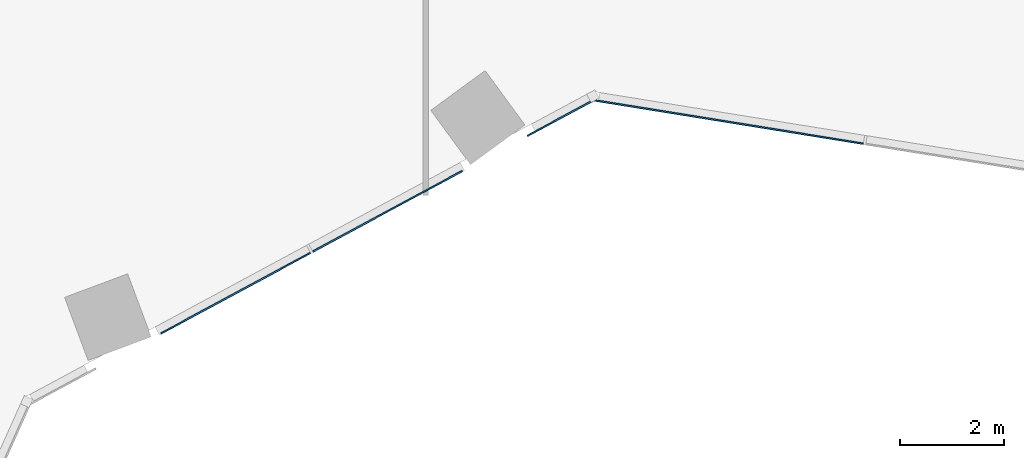
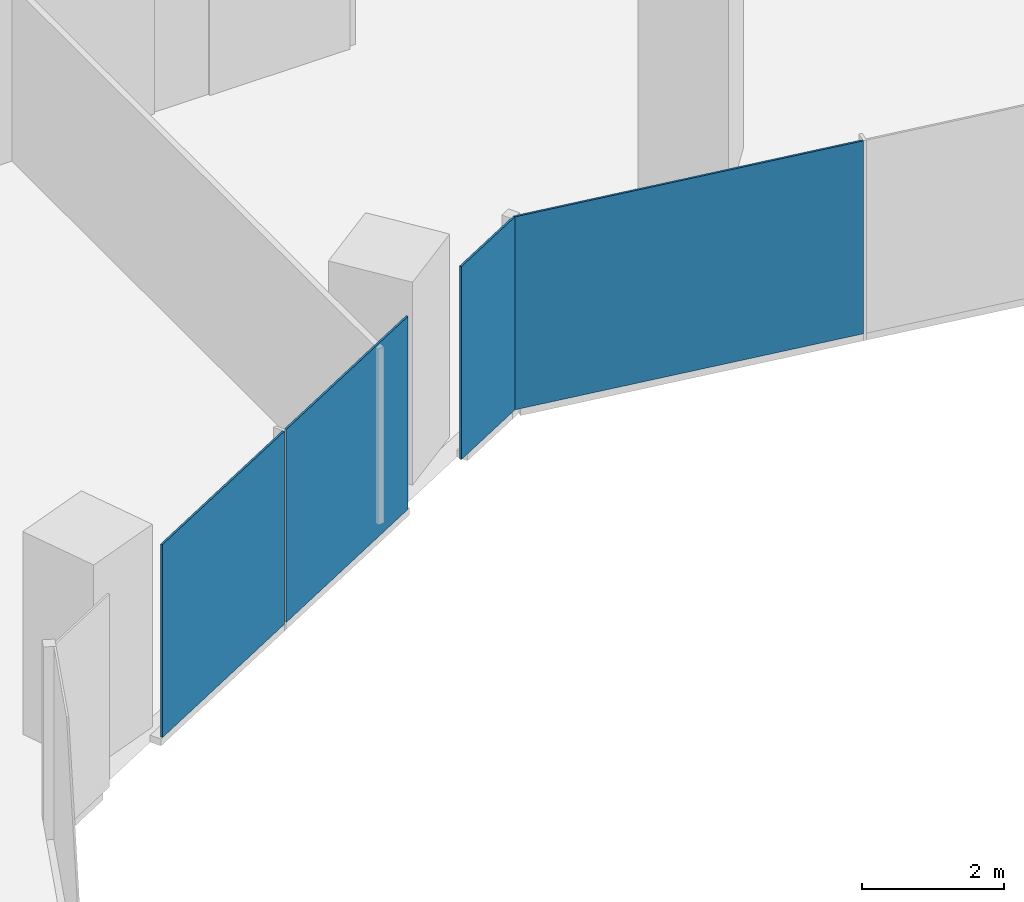
# One storey, part 20 of 34: 4 plates, 2 elements without a shape of their own.
"""IFC4 building model written with IfcOpenShell, lengths in metres."""

from ifc_helpers import new_model, si_unit, direction, frame, origin, origin_2d, place, context, subcontext, project, spatial, rectangle, extrude, material, layer, layer_set, type_object, element, aggregate, save


model = new_model("IFC4")

# Units and contexts
model_context = context("Model", 3, precision=1e-05, world=origin(), true_north=direction((0.0, 1.0)))
body_context = subcontext(model_context, "Body", "Model", "MODEL_VIEW")
ifc_project = project(units=[si_unit("LENGTHUNIT", "METRE"), si_unit("AREAUNIT", "SQUARE_METRE"), si_unit("VOLUMEUNIT", "CUBIC_METRE"), si_unit("PLANEANGLEUNIT", "RADIAN"), si_unit("MASSUNIT", "GRAM", prefix="KILO")], contexts=[model_context])

# Site, building, storey
site_placement = place(None, origin())
site = spatial("IfcSite", under=ifc_project, at=site_placement, CompositionType="ELEMENT")
building_placement = place(site_placement, origin())
building = spatial("IfcBuilding", under=site, at=building_placement, Name="Orlundy Tower", CompositionType="ELEMENT")
storey_placement = place(building_placement, frame((0.0, 0.0, 137.699951171875)))
storey = spatial("IfcBuildingStorey", under=building, at=storey_placement, Name="L35", CompositionType="ELEMENT", Elevation=137.699951171875)

# Curtain wall, plate
ifc_material_1 = material(Name="Aluminium bronze anodised", Category="aluminium")
curtain_wall_type = type_object("IfcCurtainWallType", Name="CW1 wall", PredefinedType="NOTDEFINED", material=ifc_material_1)
curtain_wall_1_placement = place(storey_placement, origin())
curtain_wall_1 = element("IfcCurtainWall", 1, at=curtain_wall_1_placement, inside=storey, type_object=curtain_wall_type, Name="CW1 run 016", PredefinedType="NOTDEFINED")
ifc_material_2 = material(Name="Tinted glass", Category="glass")
ifc_layer = layer(ifc_material_2, 0.031982421875)
ifc_layer_set = layer_set([ifc_layer], Name="CW1 glass panel 32")
plate_type = type_object("IfcPlateType", Name="CW1 glass panel 32", PredefinedType="CURTAIN_PANEL", material=ifc_layer_set)
plate_1_placement = place(storey_placement, frame((22.3662109375, -24.033935546875, -0.280029296875), z_axis=(0.0, 0.0, 1.0), x_axis=(-0.987228432558, 0.159311085453, 0.0)))
plate_1 = element("IfcPlate", 2, at=plate_1_placement, type_object=plate_type, Name="CW1 panel", PredefinedType="CURTAIN_PANEL", context=body_context, shape_type="SweptSolid", body=[
    extrude(rectangle(XDim=5.276123046875, YDim=0.031982421875, at=origin_2d()), origin(), (0.0, 0.0, 1.0), 3.330078125),
])
aggregate(curtain_wall_1, [plate_1])

# Curtain wall, plates
curtain_wall_2_placement = place(storey_placement, origin())
curtain_wall_2 = element("IfcCurtainWall", 3, at=curtain_wall_2_placement, inside=storey, type_object=curtain_wall_type, Name="CW1 run 017", PredefinedType="NOTDEFINED")
plate_2_placement = place(storey_placement, frame((19.1240234375, -23.957763671875, -0.280029296875), z_axis=(0.0, 0.0, 1.0), x_axis=(-0.88019320423, -0.474615553081, 0.0)))
plate_2 = element("IfcPlate", 4, at=plate_2_placement, type_object=plate_type, Name="CW1 panel", PredefinedType="CURTAIN_PANEL", context=body_context, shape_type="SweptSolid", body=[
    extrude(rectangle(XDim=1.44921875, YDim=0.031982421875, at=origin_2d()), origin(), (0.0, 0.0, 1.0), 3.330078125),
])
plate_3_placement = place(storey_placement, frame((15.7822265625, -25.759765625, -0.280029296875), z_axis=(0.0, 0.0, 1.0), x_axis=(-0.88019320423, -0.474615553081, 0.0)))
plate_3 = element("IfcPlate", 5, at=plate_3_placement, type_object=plate_type, Name="CW1 panel", PredefinedType="CURTAIN_PANEL", context=body_context, shape_type="SweptSolid", body=[
    extrude(rectangle(XDim=3.28173828125, YDim=0.031982421875, at=origin_2d()), origin(), (0.0, 0.0, 1.0), 3.330078125),
])
plate_4_placement = place(storey_placement, frame((12.849609375, -27.341064453125, -0.280029296875), z_axis=(0.0, 0.0, 1.0), x_axis=(-0.88019320423, -0.474615553081, 0.0)))
plate_4 = element("IfcPlate", 6, at=plate_4_placement, type_object=plate_type, Name="CW1 panel", PredefinedType="CURTAIN_PANEL", context=body_context, shape_type="SweptSolid", body=[
    extrude(rectangle(XDim=3.28173828125, YDim=0.031982421875, at=origin_2d()), origin(), (0.0, 0.0, 1.0), 3.330078125),
])
aggregate(curtain_wall_2, [plate_2, plate_3, plate_4])

save(model, "model.ifc")
